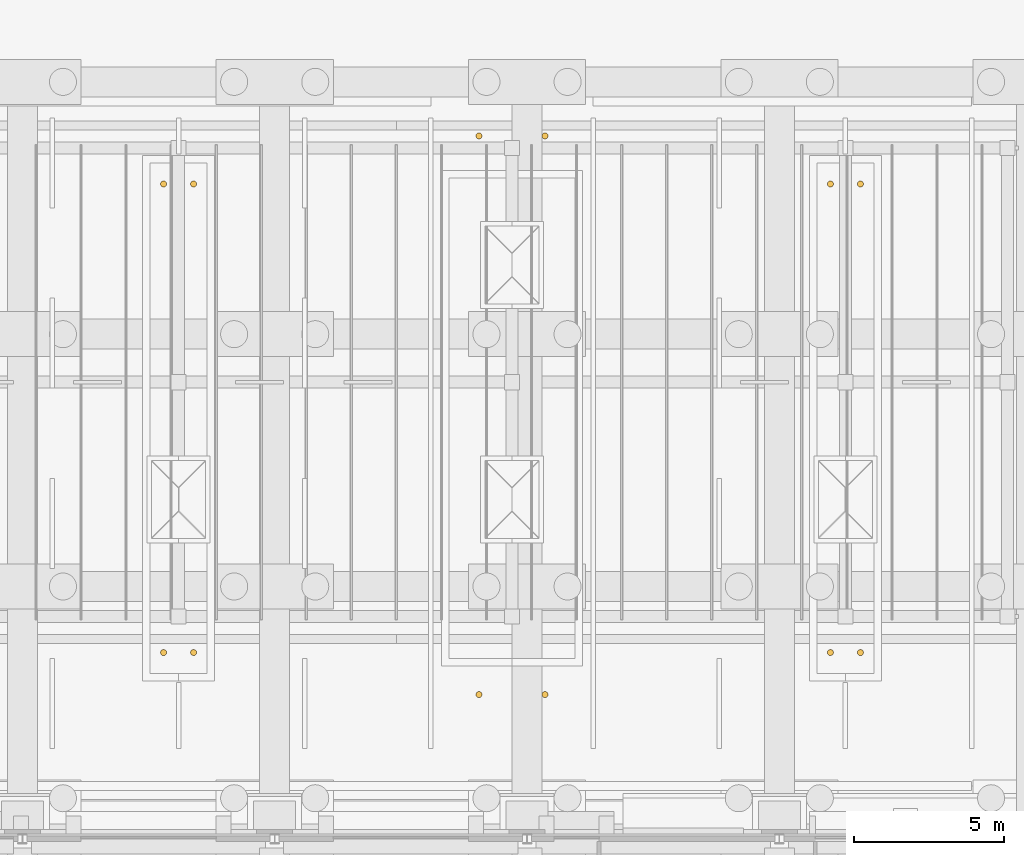
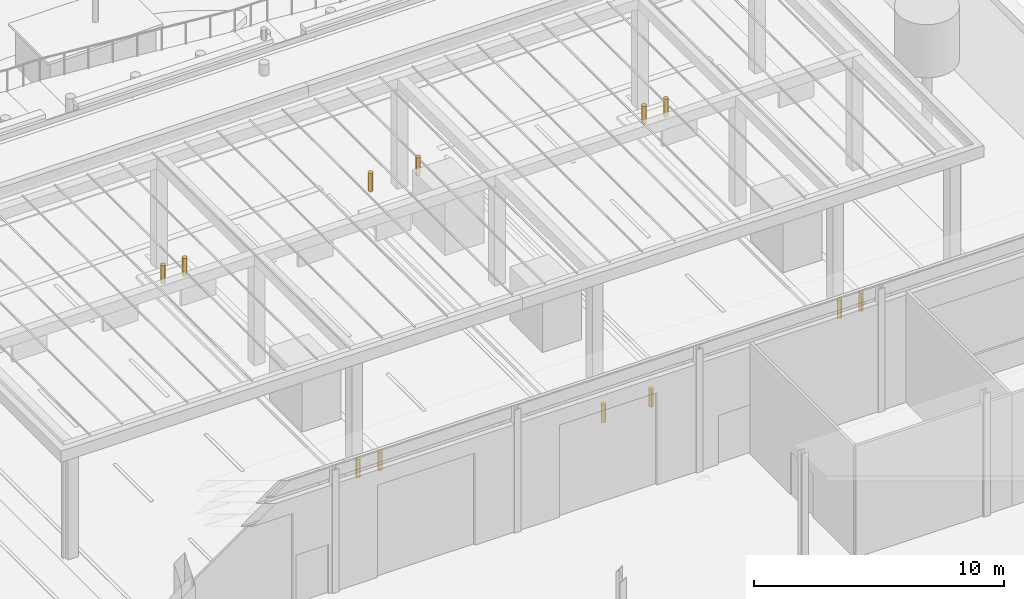
# One storey, part 211 of 222: 12 coverings.
"""IFC4 building model written with IfcOpenShell, lengths in metres."""

import ifcopenshell
import ifcopenshell.guid

model = None  # the IFC model being written
_history = None  # IfcOwnerHistory: only IFC2X3 demands one
_inside = {}  # id of a spatial element -> (the spatial element, [elements in it])
_under = {}  # id of a project, library or spatial element -> (it, [spatial elements below it])
_declared = {}  # id of a project -> (the project, [libraries it declares])
_typed = {}  # id of a type object -> (the type object, [elements of that type])
_made_of = {}  # id of a material, layer set ... -> (it, [elements and type objects made of it])


def new_model(schema):
    """Start an empty IFC model of exactly this schema.

    Asked for "IFC4X3", IfcOpenShell would pick the latest addendum, in which some entities
    have other attributes; the version numbers below select the first issue.
    IFC2X3 requires an IfcOwnerHistory on every rooted entity: one is made here for all.
    """
    global model, _history
    if schema == "IFC4X3":
        model = ifcopenshell.file(schema_version=(4, 3, 0, 0))
    else:
        model = ifcopenshell.file(schema=schema)
    _inside.clear()
    _under.clear()
    _declared.clear()
    _typed.clear()
    _made_of.clear()
    _history = None
    if model.schema == "IFC2X3":
        org = make("IfcOrganization", Name="unknown")
        user = make(
            "IfcPersonAndOrganization",
            ThePerson=make("IfcPerson", FamilyName="unknown"),
            TheOrganization=org,
        )
        app = make(
            "IfcApplication",
            ApplicationDeveloper=org,
            Version="unknown",
            ApplicationFullName="unknown",
            ApplicationIdentifier="unknown",
        )
        _history = make(
            "IfcOwnerHistory",
            OwningUser=user,
            OwningApplication=app,
            ChangeAction="ADDED",
            CreationDate=0,
        )
    return model


def make(cls, **values):
    """One entity of the class cls with the attributes given. An attribute that is None is left unset."""
    return model.create_entity(
        cls, **{name: value for name, value in values.items() if value is not None}
    )


def rooted(cls, **values):
    """An entity with a GlobalId (a new one), such as an element, a storey or a relation."""
    return make(cls, GlobalId=ifcopenshell.guid.new(), OwnerHistory=_history, **values)


def si_unit(unit_type, name, prefix=None):
    """IfcSIUnit, for example si_unit("LENGTHUNIT", "METRE", prefix="MILLI")."""
    return make("IfcSIUnit", UnitType=unit_type, Prefix=prefix, Name=name)


def assignment(units):
    """IfcUnitAssignment: the units of a project."""
    return None if units is None else make("IfcUnitAssignment", Units=units)


def point(xyz):
    """IfcCartesianPoint."""
    return None if xyz is None else make("IfcCartesianPoint", Coordinates=xyz)


def direction(xyz):
    """IfcDirection."""
    return None if xyz is None else make("IfcDirection", DirectionRatios=xyz)


def frame(location, z_axis=None, x_axis=None):
    """IfcAxis2Placement3D, a coordinate frame: its origin and axes. An axis left out is left unset."""
    return make(
        "IfcAxis2Placement3D",
        Location=point(location),
        Axis=direction(z_axis),
        RefDirection=direction(x_axis),
    )


def frame_2d(location, x_axis=None):
    """IfcAxis2Placement2D, a coordinate frame in the plane: its origin and x axis."""
    return make(
        "IfcAxis2Placement2D", Location=point(location), RefDirection=direction(x_axis)
    )


def origin():
    """The frame at (0, 0, 0) with its axes left unset."""
    return frame((0.0, 0.0, 0.0))


def origin_2d():
    """The frame at (0, 0) in the plane with its x axis left unset."""
    return frame_2d((0.0, 0.0))


def place(relative_to, where):
    """IfcLocalPlacement: puts the frame where relative to a parent placement (None: the world)."""
    return make(
        "IfcLocalPlacement", PlacementRelTo=relative_to, RelativePlacement=where
    )


def context(
    kind, dimensions, precision=None, world=None, true_north=None, identifier=None
):
    """IfcGeometricRepresentationContext, for example the 3D "Model" context."""
    return make(
        "IfcGeometricRepresentationContext",
        ContextIdentifier=identifier,
        ContextType=kind,
        CoordinateSpaceDimension=dimensions,
        Precision=precision,
        WorldCoordinateSystem=world,
        TrueNorth=true_north,
    )


def subcontext(parent, identifier, kind, view, scale=None):
    """IfcGeometricRepresentationSubContext, for example "Body" below "Model"."""
    return make(
        "IfcGeometricRepresentationSubContext",
        ContextIdentifier=identifier,
        ContextType=kind,
        ParentContext=parent,
        TargetScale=scale,
        TargetView=view,
    )


def project(units=None, contexts=None):
    """IfcProject with its units and contexts."""
    return rooted(
        "IfcProject",
        Name="project",
        RepresentationContexts=contexts,
        UnitsInContext=assignment(units),
    )


def spatial(cls, under=None, at=None, **own):
    """A site, building, storey or space (cls), placed at a placement, below another one or the project."""
    s = rooted(cls, ObjectPlacement=at, **own)
    if under is not None:
        _under.setdefault(under.id(), (under, []))[1].append(s)
    return s


def profile(cls, at=None, kind="AREA", **sizes):
    """A parametric profile (cls). Its sizes go by their IFC names, for example OverallWidth=200.0."""
    return make(cls, ProfileType=kind, Position=at, **sizes)


def circle(**sizes):
    """IfcCircleProfileDef."""
    return profile("IfcCircleProfileDef", **sizes)


def extrude(swept, where, along, depth):
    """IfcExtrudedAreaSolid: the profile swept, set in the frame where, extruded along a direction by depth."""
    return make(
        "IfcExtrudedAreaSolid",
        SweptArea=swept,
        Position=where,
        ExtrudedDirection=direction(along),
        Depth=depth,
    )


def shape(context_of_items, identifier, shape_type, items):
    """IfcShapeRepresentation: the items that make up one representation, for example the "Body"."""
    return make(
        "IfcShapeRepresentation",
        ContextOfItems=context_of_items,
        RepresentationIdentifier=identifier,
        RepresentationType=shape_type,
        Items=items,
    )


def material(Name=None, Category=None):
    """IfcMaterial."""
    return make("IfcMaterial", Name=Name, Category=Category)


def layer(
    of_material, thickness, ventilated=None, Name=None, Category=None, Priority=None
):
    """IfcMaterialLayer: one layer of a wall or slab, of a material (None: an air gap)."""
    return make(
        "IfcMaterialLayer",
        Material=of_material,
        LayerThickness=thickness,
        IsVentilated=ventilated,
        Name=Name,
        Category=Category,
        Priority=Priority,
    )


def layer_set(layers, Name=None):
    """IfcMaterialLayerSet."""
    return make("IfcMaterialLayerSet", MaterialLayers=layers, LayerSetName=Name)


def made_of(thing, what):
    """Note that an element or type object is made of a material, layer set ...; save() writes the relation."""
    if what is not None:
        _made_of.setdefault(what.id(), (what, []))[1].append(thing)
    return thing


def type_object(cls, material=None, **own):
    """A type object (cls), such as IfcWallType, which elements share."""
    return made_of(rooted(cls, **own), material)


def element(
    cls,
    number,
    at=None,
    inside=None,
    cuts=None,
    type_object=None,
    material=None,
    context=None,
    identifier="Body",
    shape_type=None,
    held_by="IfcProductDefinitionShape",
    body=None,
    shapes=None,
    **own,
):
    """One element of the class cls, such as IfcWall. Its Tag is "e" and its number.

    at: its placement. inside: the storey or other place that contains it. cuts: it is an
    opening in that element (IfcRelVoidsElement). A single representation is given by context,
    identifier, shape_type and body (its items); several are given by shapes. held_by: the class
    of the entity that holds the representations. save() writes the other relations.
    """
    e = rooted(cls, Tag="e%d" % number, ObjectPlacement=at, **own)
    if body is not None:
        shapes = [shape(context, identifier, shape_type, body)]
    if shapes is not None:
        e.Representation = make(held_by, Representations=shapes)
    if inside is not None:
        _inside.setdefault(inside.id(), (inside, []))[1].append(e)
    if cuts is not None:
        rooted(
            "IfcRelVoidsElement", RelatingBuildingElement=cuts, RelatedOpeningElement=e
        )
    if type_object is not None:
        _typed.setdefault(type_object.id(), (type_object, []))[1].append(e)
    return made_of(e, material)


def aggregate(whole, parts):
    """IfcRelAggregates: a whole, such as a stair, and the parts it consists of."""
    return rooted("IfcRelAggregates", RelatingObject=whole, RelatedObjects=parts)


def save(model, path):
    """Write the relations noted so far, then the file.

    IfcRelAggregates (storeys below a building ...), IfcRelContainedInSpatialStructure (elements
    in a storey), IfcRelDefinesByType, IfcRelAssociatesMaterial and IfcRelDeclares: one each for
    every whole, place, type object, material and project.
    """
    for whole, parts in _under.values():
        aggregate(whole, parts)
    for where, things in _inside.values():
        rooted(
            "IfcRelContainedInSpatialStructure",
            RelatedElements=things,
            RelatingStructure=where,
        )
    for kind, things in _typed.values():
        rooted("IfcRelDefinesByType", RelatedObjects=things, RelatingType=kind)
    for what, things in _made_of.values():
        rooted("IfcRelAssociatesMaterial", RelatedObjects=things, RelatingMaterial=what)
    for by, libraries in _declared.values():
        rooted("IfcRelDeclares", RelatingContext=by, RelatedDefinitions=libraries)
    model.write(path)


model = new_model("IFC4")

# Units and contexts
model_context = context("Model", 3, precision=1e-05, world=origin(), true_north=direction((0.0, 1.0)))
body_context = subcontext(model_context, "Body", "Model", "MODEL_VIEW")
ifc_project = project(units=[si_unit("LENGTHUNIT", "METRE"), si_unit("AREAUNIT", "SQUARE_METRE"), si_unit("VOLUMEUNIT", "CUBIC_METRE"), si_unit("PLANEANGLEUNIT", "RADIAN"), si_unit("MASSUNIT", "GRAM", prefix="KILO")], contexts=[model_context])

# Site, building, storey
site_placement = place(None, origin())
site = spatial("IfcSite", under=ifc_project, at=site_placement, CompositionType="ELEMENT")
building_placement = place(site_placement, origin())
building = spatial("IfcBuilding", under=site, at=building_placement, Name="Sava Quay Ferry Terminal", CompositionType="ELEMENT")
storey_placement = place(building_placement, origin())
storey = spatial("IfcBuildingStorey", under=building, at=storey_placement, Name="L00", CompositionType="ELEMENT", Elevation=0.0)

# Coverings
ifc_material_1 = material(Name="Steel S355", Category="steel")
ifc_layer_1 = layer(ifc_material_1, 0.199951171875)
ifc_layer_set_1 = layer_set([ifc_layer_1], Name="Steel S355")
covering_type_1 = type_object("IfcCoveringType", Name="Apron bollard 200", PredefinedType="CLADDING", material=ifc_layer_set_1)
for number, where, z_axis, x_axis, name in (
    (1, (139.10009765625, 90.199951171875, 1.050048828125), (0.0, 0.0, -1.0), (1.0, 0.0, 0.0), "Apron bollard"),
    (2, (140.10009765625, 90.199951171875, 1.050048828125), (0.0, 0.0, -1.0), (1.0, 0.0, 0.0), "Apron bollard"),
    (3, (139.10009765625, 105.800048828125, 1.050048828125), (0.0, 0.0, -1.0), (1.0, 0.0, 0.0), "Apron bollard"),
    (4, (140.10009765625, 105.800048828125, 1.050048828125), (0.0, 0.0, -1.0), (1.0, 0.0, 0.0), "Apron bollard"),
    (5, (161.300048828125, 90.199951171875, 1.050048828125), (0.0, 0.0, -1.0), (1.0, 0.0, 0.0), "Apron bollard"),
    (6, (162.300048828125, 90.199951171875, 1.050048828125), (0.0, 0.0, -1.0), (1.0, 0.0, 0.0), "Apron bollard"),
    (7, (161.300048828125, 105.800048828125, 1.050048828125), (0.0, 0.0, -1.0), (1.0, 0.0, 0.0), "Apron bollard"),
    (8, (162.300048828125, 105.800048828125, 1.050048828125), (0.0, 0.0, -1.0), (1.0, 0.0, 0.0), "Apron bollard"),
):
    element("IfcCovering", number, at=place(storey_placement, frame(where, z_axis=z_axis, x_axis=x_axis)), inside=storey, type_object=covering_type_1, Name=name, PredefinedType="CLADDING", context=body_context, shape_type="SweptSolid", body=[
        extrude(circle(Radius=0.10009765625, at=origin_2d()), origin(), (0.0, 0.0, 1.0), 0.89990234375),
    ])
ifc_material_2 = material(Name="Steel S355", Category="steel")
ifc_layer_2 = layer(ifc_material_2, 0.199951171875)
ifc_layer_set_2 = layer_set([ifc_layer_2], Name="Steel S355")
covering_type_2 = type_object("IfcCoveringType", Name="Traffic bollard 200", PredefinedType="CLADDING", material=ifc_layer_set_2)
for number, where, z_axis, x_axis, name in (
    (9, (149.60009765625, 88.800048828125, 0.89990234375), (0.0, 0.0, -1.0), (1.0, 0.0, 0.0), "Traffic bollard"),
    (10, (151.800048828125, 88.800048828125, 0.89990234375), (0.0, 0.0, -1.0), (1.0, 0.0, 0.0), "Traffic bollard"),
    (11, (149.60009765625, 107.39990234375, 0.89990234375), (0.0, 0.0, -1.0), (1.0, 0.0, 0.0), "Traffic bollard"),
    (12, (151.800048828125, 107.39990234375, 0.89990234375), (0.0, 0.0, -1.0), (1.0, 0.0, 0.0), "Traffic bollard"),
):
    element("IfcCovering", number, at=place(storey_placement, frame(where, z_axis=z_axis, x_axis=x_axis)), inside=storey, type_object=covering_type_2, Name=name, PredefinedType="CLADDING", context=body_context, shape_type="SweptSolid", body=[
        extrude(circle(Radius=0.10009765625, at=origin_2d()), origin(), (0.0, 0.0, 1.0), 0.89990234375),
    ])

save(model, "model.ifc")
